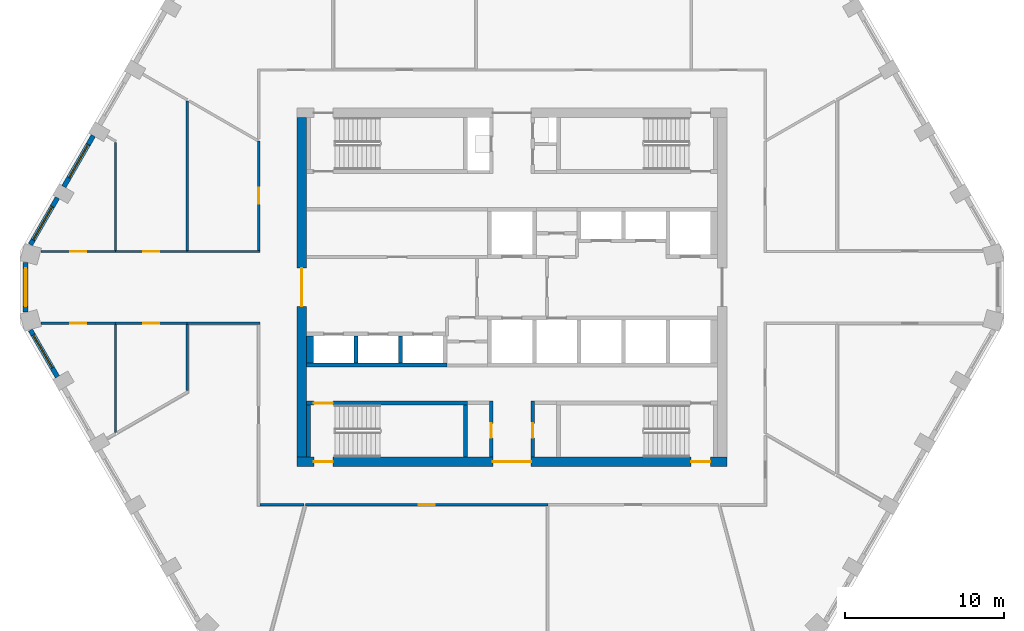
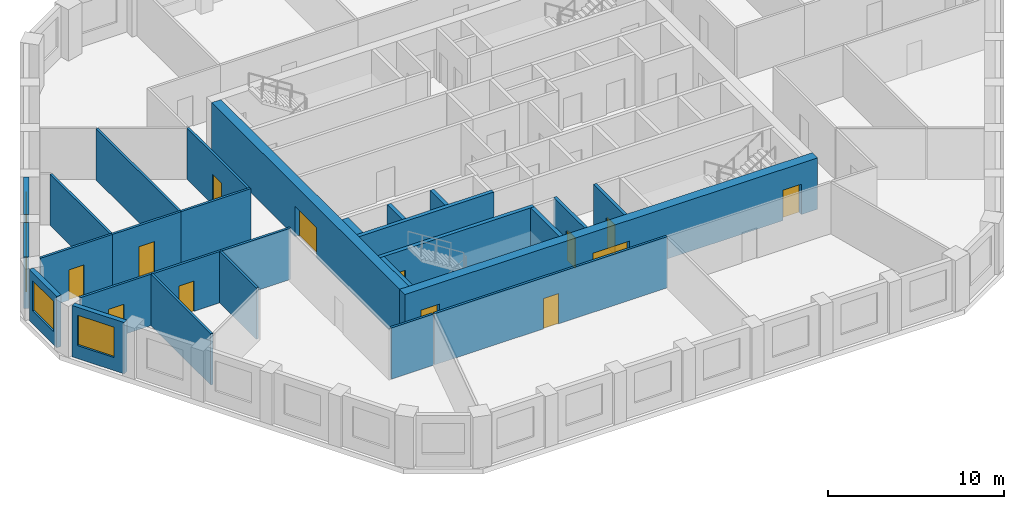
# One storey, part 2 of 11: 28 walls, 13 doors, 4 windows, 17 openings.
"""IFC4 building model written with IfcOpenShell, lengths in metres."""

from ifc_helpers import new_model, si_unit, direction, frame, frame_2d, origin, place, context, subcontext, project, spatial, polyline, rectangle, outline, extrude, material, layer, layer_set, type_object, element, fill, save


model = new_model("IFC4")

# Units and contexts
model_context = context("Model", 3, precision=1e-05, world=origin(), true_north=direction((0.0, 1.0)))
body_context = subcontext(model_context, "Body", "Model", "MODEL_VIEW")
ifc_project = project(units=[si_unit("LENGTHUNIT", "METRE"), si_unit("AREAUNIT", "SQUARE_METRE"), si_unit("VOLUMEUNIT", "CUBIC_METRE"), si_unit("PLANEANGLEUNIT", "RADIAN"), si_unit("MASSUNIT", "GRAM", prefix="KILO")], contexts=[model_context])

# Site, building, storey
site_placement = place(None, origin())
site = spatial("IfcSite", under=ifc_project, at=site_placement, CompositionType="ELEMENT")
building_placement = place(site_placement, origin())
building = spatial("IfcBuilding", under=site, at=building_placement, Name="Dhurran Vertical Campus", CompositionType="ELEMENT")
storey_placement = place(building_placement, frame((0.0, 0.0, 211.199951171875)))
storey = spatial("IfcBuildingStorey", under=building, at=storey_placement, Name="L52", CompositionType="ELEMENT", Elevation=211.199951171875)

# Wall, opening, window
ifc_material_1 = material(Name="Precast concrete C50/60", Category="concrete")
ifc_layer_1 = layer(ifc_material_1, 0.300048828125)
ifc_layer_set_1 = layer_set([ifc_layer_1], Name="Precast concrete C50/60")
wall_type_1 = type_object("IfcWallType", Name="Precast spandrel wall 300", PredefinedType="SOLIDWALL", material=ifc_layer_set_1)
wall_1_placement = place(storey_placement, frame((-26.294189453125, 9.5224609375, 0.0), z_axis=(0.0, 0.0, 1.0), x_axis=(-0.500029062817, -0.866008623709, 0.0)))
wall_1 = element("IfcWall", 1, at=wall_1_placement, inside=storey, type_object=wall_type_1, Name="EW1 L52.31", PredefinedType="SOLIDWALL", context=body_context, shape_type="SweptSolid", body=[
    extrude(rectangle(XDim=3.698974609375, YDim=0.300048828125, at=frame_2d((1.849609375, 0.0))), origin(), (0.0, 0.0, 1.0), 3.550048828125),
])
opening_1_placement = place(wall_1_placement, frame((0.6494140625, 0.0, 0.89990234375)))
opening_1 = element("IfcOpeningElement", 2, at=opening_1_placement, cuts=wall_1, Name="Opening WT1", PredefinedType="OPENING", context=body_context, shape_type="SweptSolid", body=[
    extrude(rectangle(XDim=2.39990234375, YDim=2.10009765625, at=frame_2d((1.199951171875, 1.050048828125))), frame((0.0, 0.159912109375, 0.0), z_axis=(0.0, -1.0, 0.0), x_axis=(1.0, 0.0, 0.0)), (0.0, 0.0, 1.0), 0.320068359375),
])
ifc_material_2 = material(Name="Aluminium frame with solar-control glass", Category="aluminium")
window_type = type_object("IfcWindowType", Name="Punched window 2400 x 2100", PartitioningType="SINGLE_PANEL", PredefinedType="WINDOW", material=ifc_material_2)
window_1_placement = place(opening_1_placement, origin())
window_1 = element("IfcWindow", 3, at=window_1_placement, inside=storey, type_object=window_type, Name="WT1 L52.31", OverallHeight=2.10009765625, OverallWidth=2.39990234375, PartitioningType="SINGLE_PANEL", PredefinedType="WINDOW", context=body_context, shape_type="SweptSolid", body=[
    extrude(rectangle(XDim=2.39990234375, YDim=2.10009765625, at=frame_2d((1.199951171875, 1.050048828125))), frame((0.0, 0.030029296875, 0.0), z_axis=(0.0, -1.0, 0.0), x_axis=(1.0, 0.0, 0.0)), (0.0, 0.0, 1.0), 0.06005859375),
])
fill(opening_1, window_1)

wall_2_placement = place(storey_placement, frame((-28.544189453125, 5.625244140625, 0.0), z_axis=(0.0, 0.0, 1.0), x_axis=(-0.500012868213, -0.866017974191, 0.0)))
wall_2 = element("IfcWall", 4, at=wall_2_placement, inside=storey, type_object=wall_type_1, Name="EW1 L52.32", PredefinedType="SOLIDWALL", context=body_context, shape_type="SweptSolid", body=[
    extrude(rectangle(XDim=3.39599609375, YDim=0.300048828125, at=frame_2d((1.697998046875, 0.0))), origin(), (0.0, 0.0, 1.0), 3.550048828125),
])
opening_2_placement = place(wall_2_placement, frame((0.6494140625, 0.0, 0.89990234375)))
opening_2 = element("IfcOpeningElement", 5, at=opening_2_placement, cuts=wall_2, Name="Opening WT1", PredefinedType="OPENING", context=body_context, shape_type="SweptSolid", body=[
    extrude(rectangle(XDim=2.39990234375, YDim=2.10009765625, at=frame_2d((1.199951171875, 1.050048828125))), frame((0.0, 0.159912109375, 0.0), z_axis=(0.0, -1.0, 0.0), x_axis=(1.0, 0.0, 0.0)), (0.0, 0.0, 1.0), 0.320068359375),
])
window_2_placement = place(opening_2_placement, origin())
window_2 = element("IfcWindow", 6, at=window_2_placement, inside=storey, type_object=window_type, Name="WT1 L52.32", OverallHeight=2.10009765625, OverallWidth=2.39990234375, PartitioningType="SINGLE_PANEL", PredefinedType="WINDOW", context=body_context, shape_type="SweptSolid", body=[
    extrude(rectangle(XDim=2.39990234375, YDim=2.10009765625, at=frame_2d((1.199951171875, 1.050048828125))), frame((0.0, 0.030029296875, 0.0), z_axis=(0.0, -1.0, 0.0), x_axis=(1.0, 0.0, 0.0)), (0.0, 0.0, 1.0), 0.06005859375),
])
fill(opening_2, window_2)

wall_3_placement = place(storey_placement, frame((-30.547119140625, 1.54638671875, 0.0), z_axis=(0.0, 0.0, 1.0), x_axis=(0.0, -1.0, 0.0)))
wall_3 = element("IfcWall", 7, at=wall_3_placement, inside=storey, type_object=wall_type_1, Name="EW1 L52.33", PredefinedType="SOLIDWALL", context=body_context, shape_type="SweptSolid", body=[
    extrude(rectangle(XDim=3.0927734375, YDim=0.300048828125, at=frame_2d((1.54638671875, 0.0))), origin(), (0.0, 0.0, 1.0), 3.550048828125),
])
opening_3_placement = place(wall_3_placement, frame((0.34619140625, 0.0, 0.89990234375)))
opening_3 = element("IfcOpeningElement", 8, at=opening_3_placement, cuts=wall_3, Name="Opening WT1", PredefinedType="OPENING", context=body_context, shape_type="SweptSolid", body=[
    extrude(rectangle(XDim=2.39990234375, YDim=2.10009765625, at=frame_2d((1.199951171875, 1.050048828125))), frame((0.0, 0.159912109375, 0.0), z_axis=(0.0, -1.0, 0.0), x_axis=(1.0, 0.0, 0.0)), (0.0, 0.0, 1.0), 0.320068359375),
])
window_3_placement = place(opening_3_placement, origin())
window_3 = element("IfcWindow", 9, at=window_3_placement, inside=storey, type_object=window_type, Name="WT1 L52.33", OverallHeight=2.10009765625, OverallWidth=2.39990234375, PartitioningType="SINGLE_PANEL", PredefinedType="WINDOW", context=body_context, shape_type="SweptSolid", body=[
    extrude(rectangle(XDim=2.39990234375, YDim=2.10009765625, at=frame_2d((1.199951171875, 1.050048828125))), frame((0.0, 0.030029296875, 0.0), z_axis=(0.0, -1.0, 0.0), x_axis=(1.0, 0.0, 0.0)), (0.0, 0.0, 1.0), 0.06005859375),
])
fill(opening_3, window_3)

wall_4_placement = place(storey_placement, frame((-30.2421875, -2.684326171875, 0.0), z_axis=(0.0, 0.0, 1.0), x_axis=(0.500012868213, -0.866017974191, 0.0)))
wall_4 = element("IfcWall", 10, at=wall_4_placement, inside=storey, type_object=wall_type_1, Name="EW1 L52.34", PredefinedType="SOLIDWALL", context=body_context, shape_type="SweptSolid", body=[
    extrude(rectangle(XDim=3.39599609375, YDim=0.300048828125, at=frame_2d((1.697998046875, 0.0))), origin(), (0.0, 0.0, 1.0), 3.550048828125),
])
opening_4_placement = place(wall_4_placement, frame((0.346435546875, 0.0, 0.89990234375)))
opening_4 = element("IfcOpeningElement", 11, at=opening_4_placement, cuts=wall_4, Name="Opening WT1", PredefinedType="OPENING", context=body_context, shape_type="SweptSolid", body=[
    extrude(rectangle(XDim=2.39990234375, YDim=2.10009765625, at=frame_2d((1.199951171875, 1.050048828125))), frame((0.0, 0.159912109375, 0.0), z_axis=(0.0, -1.0, 0.0), x_axis=(1.0, 0.0, 0.0)), (0.0, 0.0, 1.0), 0.320068359375),
])
window_4_placement = place(opening_4_placement, origin())
window_4 = element("IfcWindow", 12, at=window_4_placement, inside=storey, type_object=window_type, Name="WT1 L52.34", OverallHeight=2.10009765625, OverallWidth=2.39990234375, PartitioningType="SINGLE_PANEL", PredefinedType="WINDOW", context=body_context, shape_type="SweptSolid", body=[
    extrude(rectangle(XDim=2.39990234375, YDim=2.10009765625, at=frame_2d((1.199951171875, 1.050048828125))), frame((0.0, 0.030029296875, 0.0), z_axis=(0.0, -1.0, 0.0), x_axis=(1.0, 0.0, 0.0)), (0.0, 0.0, 1.0), 0.06005859375),
])
fill(opening_4, window_4)

# Wall, openings, doors
ifc_material_3 = material(Name="Concrete C50/60", Category="concrete")
ifc_layer_2 = layer(ifc_material_3, 0.60009765625)
ifc_layer_set_2 = layer_set([ifc_layer_2], Name="Concrete C50/60")
wall_type_2 = type_object("IfcWallType", Name="co-CORE-WALL-C2-600", PredefinedType="SHEAR", material=ifc_layer_set_2)
wall_5_placement = place(storey_placement, frame((-13.5, -10.949951171875, 0.0), z_axis=(0.0, 0.0, 1.0), x_axis=(1.0, 0.0, 0.0)))
wall_5 = element("IfcWall", 13, at=wall_5_placement, inside=storey, type_object=wall_type_2, Name="Core wall S L52", PredefinedType="SHEAR", context=body_context, shape_type="SweptSolid", body=[
    extrude(rectangle(XDim=27.0, YDim=0.60009765625, at=frame_2d((13.5, 0.0))), origin(), (0.0, 0.0, 1.0), 3.550048828125),
])
opening_5_placement = place(wall_5_placement, frame((12.300048828125, 0.0, 0.0)))
opening_5 = element("IfcOpeningElement", 14, at=opening_5_placement, cuts=wall_5, Name="Opening CV2", PredefinedType="OPENING", context=body_context, shape_type="SweptSolid", body=[
    extrude(rectangle(XDim=2.39990234375, YDim=2.10009765625, at=frame_2d((1.199951171875, 1.050048828125))), frame((0.0, 0.31005859375, 0.0), z_axis=(0.0, -1.0, 0.0), x_axis=(1.0, 0.0, 0.0)), (0.0, 0.0, 1.0), 0.6201171875),
])
opening_6_placement = place(wall_5_placement, frame((1.050048828125, 0.0, 0.0)))
opening_6 = element("IfcOpeningElement", 15, at=opening_6_placement, cuts=wall_5, Name="Opening XD3", PredefinedType="OPENING", context=body_context, shape_type="SweptSolid", body=[
    extrude(rectangle(XDim=1.199951171875, YDim=2.10009765625, at=frame_2d((0.60009765625, 1.050048828125))), frame((0.0, 0.31005859375, 0.0), z_axis=(0.0, -1.0, 0.0), x_axis=(1.0, 0.0, 0.0)), (0.0, 0.0, 1.0), 0.6201171875),
])
opening_7_placement = place(wall_5_placement, frame((24.75, 0.0, 0.0)))
opening_7 = element("IfcOpeningElement", 16, at=opening_7_placement, cuts=wall_5, Name="Opening XD4", PredefinedType="OPENING", context=body_context, shape_type="SweptSolid", body=[
    extrude(rectangle(XDim=1.199951171875, YDim=2.10009765625, at=frame_2d((0.60009765625, 1.050048828125))), frame((0.0, 0.31005859375, 0.0), z_axis=(0.0, -1.0, 0.0), x_axis=(1.0, 0.0, 0.0)), (0.0, 0.0, 1.0), 0.6201171875),
])
ifc_material_4 = material(Name="Fire-rated glazed door set")
door_type_1 = type_object("IfcDoorType", Name="co-D-LOBBY 2400x2100", OperationType="DOUBLE_DOOR_DOUBLE_SWING", PredefinedType="DOOR", material=ifc_material_4)
door_1_placement = place(opening_5_placement, origin())
door_1 = element("IfcDoor", 17, at=door_1_placement, inside=storey, type_object=door_type_1, Name="Core vestibule door S L52", OperationType="DOUBLE_DOOR_DOUBLE_SWING", OverallHeight=2.10009765625, OverallWidth=2.39990234375, PredefinedType="DOOR", context=body_context, shape_type="SweptSolid", body=[
    extrude(rectangle(XDim=2.39990234375, YDim=2.10009765625, at=frame_2d((1.199951171875, 1.050048828125))), frame((0.0, 0.02490234375, 0.0), z_axis=(0.0, -1.0, 0.0), x_axis=(1.0, 0.0, 0.0)), (0.0, 0.0, 1.0), 0.050048828125),
])
fill(opening_5, door_1)
ifc_material_5 = material(Name="Fire-rated steel door set", Category="steel")
door_type_2 = type_object("IfcDoorType", Name="co-D-STAIR-EXIT 1200x2100", OperationType="SINGLE_SWING_RIGHT", PredefinedType="DOOR", material=ifc_material_5)
door_2_placement = place(opening_6_placement, origin())
door_2 = element("IfcDoor", 18, at=door_2_placement, inside=storey, type_object=door_type_2, Name="Stair ST3 exit door L52", OperationType="SINGLE_SWING_RIGHT", OverallHeight=2.10009765625, OverallWidth=1.199951171875, PredefinedType="DOOR", context=body_context, shape_type="SweptSolid", body=[
    extrude(rectangle(XDim=1.199951171875, YDim=2.10009765625, at=frame_2d((0.60009765625, 1.050048828125))), frame((0.0, 0.02490234375, 0.0), z_axis=(0.0, -1.0, 0.0), x_axis=(1.0, 0.0, 0.0)), (0.0, 0.0, 1.0), 0.050048828125),
])
fill(opening_6, door_2)
door_3_placement = place(opening_7_placement, origin())
door_3 = element("IfcDoor", 19, at=door_3_placement, inside=storey, type_object=door_type_2, Name="Stair ST4 exit door L52", OperationType="SINGLE_SWING_RIGHT", OverallHeight=2.10009765625, OverallWidth=1.199951171875, PredefinedType="DOOR", context=body_context, shape_type="SweptSolid", body=[
    extrude(rectangle(XDim=1.199951171875, YDim=2.10009765625, at=frame_2d((0.60009765625, 1.050048828125))), frame((0.0, 0.02490234375, 0.0), z_axis=(0.0, -1.0, 0.0), x_axis=(1.0, 0.0, 0.0)), (0.0, 0.0, 1.0), 0.050048828125),
])
fill(opening_7, door_3)

# Wall, opening, door
wall_6_placement = place(storey_placement, frame((-13.199951171875, -10.64990234375, 0.0), z_axis=(0.0, 0.0, 1.0), x_axis=(0.0, 1.0, 0.0)))
wall_6 = element("IfcWall", 20, at=wall_6_placement, inside=storey, type_object=wall_type_2, Name="Core wall W L52", PredefinedType="SHEAR", context=body_context, shape_type="SweptSolid", body=[
    extrude(rectangle(XDim=21.2998046875, YDim=0.60009765625, at=frame_2d((10.64990234375, 0.0))), origin(), (0.0, 0.0, 1.0), 3.550048828125),
])
opening_8_placement = place(wall_6_placement, frame((9.449951171875, 0.0, 0.0)))
opening_8 = element("IfcOpeningElement", 21, at=opening_8_placement, cuts=wall_6, Name="Opening CL1", PredefinedType="OPENING", context=body_context, shape_type="SweptSolid", body=[
    extrude(rectangle(XDim=2.39990234375, YDim=2.10009765625, at=frame_2d((1.199951171875, 1.050048828125))), frame((0.0, 0.31005859375, 0.0), z_axis=(0.0, -1.0, 0.0), x_axis=(1.0, 0.0, 0.0)), (0.0, 0.0, 1.0), 0.6201171875),
])
door_4_placement = place(opening_8_placement, origin())
door_4 = element("IfcDoor", 22, at=door_4_placement, inside=storey, type_object=door_type_1, Name="Lift lobby door W L52", OperationType="DOUBLE_DOOR_DOUBLE_SWING", OverallHeight=2.10009765625, OverallWidth=2.39990234375, PredefinedType="DOOR", context=body_context, shape_type="SweptSolid", body=[
    extrude(rectangle(XDim=2.39990234375, YDim=2.10009765625, at=frame_2d((1.199951171875, 1.050048828125))), frame((0.0, 0.02490234375, 0.0), z_axis=(0.0, -1.0, 0.0), x_axis=(1.0, 0.0, 0.0)), (0.0, 0.0, 1.0), 0.050048828125),
])
fill(opening_8, door_4)

ifc_material_6 = material(Name="Fire-rated masonry blockwork", Category="masonry")
ifc_layer_3 = layer(ifc_material_6, 0.199951171875)
ifc_layer_set_3 = layer_set([ifc_layer_3], Name="Fire-rated masonry blockwork")
wall_type_3 = type_object("IfcWallType", Name="co-FIRE-PARTITION-200", PredefinedType="PARTITIONING", material=ifc_layer_set_3)
wall_7_placement = place(storey_placement, frame((-1.300048828125, -10.64990234375, 0.0), z_axis=(0.0, 0.0, 1.0), x_axis=(0.0, 1.0, 0.0)))
wall_7 = element("IfcWall", 23, at=wall_7_placement, inside=storey, type_object=wall_type_3, Name="Core partition vest-SW L52", PredefinedType="PARTITIONING", context=body_context, shape_type="SweptSolid", body=[
    extrude(rectangle(XDim=3.5, YDim=0.199951171875, at=frame_2d((1.75, 0.0))), origin(), (0.0, 0.0, 1.0), 3.550048828125),
])
opening_9_placement = place(wall_7_placement, frame((1.199951171875, 0.0, 0.0)))
opening_9 = element("IfcOpeningElement", 24, at=opening_9_placement, cuts=wall_7, Name="Opening T15-C1", PredefinedType="OPENING", context=body_context, shape_type="SweptSolid", body=[
    extrude(rectangle(XDim=0.89990234375, YDim=2.10009765625, at=frame_2d((0.449951171875, 1.050048828125))), frame((0.0, 0.10986328125, 0.0), z_axis=(0.0, -1.0, 0.0), x_axis=(1.0, 0.0, 0.0)), (0.0, 0.0, 1.0), 0.219970703125),
])
ifc_material_7 = material(Name="Fire-rated timber door set", Category="wood")
door_type_3 = type_object("IfcDoorType", Name="co-D-ROOM 900x2100", OperationType="SINGLE_SWING_LEFT", PredefinedType="DOOR", material=ifc_material_7)
door_5_placement = place(opening_9_placement, origin())
door_5 = element("IfcDoor", 25, at=door_5_placement, inside=storey, type_object=door_type_3, Name="Waste room door L52", OperationType="SINGLE_SWING_LEFT", OverallHeight=2.10009765625, OverallWidth=0.89990234375, PredefinedType="DOOR", context=body_context, shape_type="SweptSolid", body=[
    extrude(rectangle(XDim=0.89990234375, YDim=2.10009765625, at=frame_2d((0.449951171875, 1.050048828125))), frame((0.0, 0.02490234375, 0.0), z_axis=(0.0, -1.0, 0.0), x_axis=(1.0, 0.0, 0.0)), (0.0, 0.0, 1.0), 0.050048828125),
])
fill(opening_9, door_5)

wall_8_placement = place(storey_placement, frame((1.300048828125, -10.64990234375, 0.0), z_axis=(0.0, 0.0, 1.0), x_axis=(0.0, 1.0, 0.0)))
wall_8 = element("IfcWall", 26, at=wall_8_placement, inside=storey, type_object=wall_type_3, Name="Core partition vest-SE L52", PredefinedType="PARTITIONING", context=body_context, shape_type="SweptSolid", body=[
    extrude(rectangle(XDim=3.5, YDim=0.199951171875, at=frame_2d((1.75, 0.0))), origin(), (0.0, 0.0, 1.0), 3.550048828125),
])
opening_10_placement = place(wall_8_placement, frame((1.199951171875, 0.0, 0.0)))
opening_10 = element("IfcOpeningElement", 27, at=opening_10_placement, cuts=wall_8, Name="Opening T15-C2", PredefinedType="OPENING", context=body_context, shape_type="SweptSolid", body=[
    extrude(rectangle(XDim=0.89990234375, YDim=2.10009765625, at=frame_2d((0.449951171875, 1.050048828125))), frame((0.0, 0.10986328125, 0.0), z_axis=(0.0, -1.0, 0.0), x_axis=(1.0, 0.0, 0.0)), (0.0, 0.0, 1.0), 0.219970703125),
])
door_6_placement = place(opening_10_placement, origin())
door_6 = element("IfcDoor", 28, at=door_6_placement, inside=storey, type_object=door_type_3, Name="Cleaner's store door L52", OperationType="SINGLE_SWING_LEFT", OverallHeight=2.10009765625, OverallWidth=0.89990234375, PredefinedType="DOOR", context=body_context, shape_type="SweptSolid", body=[
    extrude(rectangle(XDim=0.89990234375, YDim=2.10009765625, at=frame_2d((0.449951171875, 1.050048828125))), frame((0.0, 0.02490234375, 0.0), z_axis=(0.0, -1.0, 0.0), x_axis=(1.0, 0.0, 0.0)), (0.0, 0.0, 1.0), 0.050048828125),
])
fill(opening_10, door_6)

# Walls
ifc_material_8 = material(Name="Concrete C50/60", Category="concrete")
ifc_layer_4 = layer(ifc_material_8, 0.25)
ifc_layer_set_4 = layer_set([ifc_layer_4], Name="Concrete C50/60")
wall_type_4 = type_object("IfcWallType", Name="co-SHAFT-MASS-250", PredefinedType="SHEAR", material=ifc_layer_set_4)
wall_9_placement = place(storey_placement, origin())
element("IfcWall", 29, at=wall_9_placement, inside=storey, type_object=wall_type_4, Name="Lift shaft wall S L52 1", PredefinedType="SHEAR", context=body_context, shape_type="SweptSolid", body=[
    extrude(outline(polyline([(-12.89990234375, -5.0), (-4.074951171875, -5.0), (-4.074951171875, -4.75), (-12.89990234375, -4.75), (-12.89990234375, -5.0)])), origin(), (0.0, 0.0, 1.0), 3.550048828125),
])
wall_10_placement = place(storey_placement, origin())
element("IfcWall", 30, at=wall_10_placement, inside=storey, type_object=wall_type_4, Name="Lift shaft wall S L52 3", PredefinedType="SHEAR", context=body_context, shape_type="SweptSolid", body=[
    extrude(outline(polyline([(-12.89990234375, -4.75), (-12.47509765625, -4.75), (-12.47509765625, -3.050048828125), (-12.89990234375, -3.050048828125), (-12.89990234375, -4.75)])), origin(), (0.0, 0.0, 1.0), 3.550048828125),
])
wall_11_placement = place(storey_placement, origin())
element("IfcWall", 31, at=wall_11_placement, inside=storey, type_object=wall_type_4, Name="Lift shaft wall S L52 4", PredefinedType="SHEAR", context=body_context, shape_type="SweptSolid", body=[
    extrude(outline(polyline([(-9.925048828125, -4.75), (-9.675048828125, -4.75), (-9.675048828125, -3.050048828125), (-9.925048828125, -3.050048828125), (-9.925048828125, -4.75)])), origin(), (0.0, 0.0, 1.0), 3.550048828125),
])
wall_12_placement = place(storey_placement, origin())
element("IfcWall", 32, at=wall_12_placement, inside=storey, type_object=wall_type_4, Name="Lift shaft wall S L52 5", PredefinedType="SHEAR", context=body_context, shape_type="SweptSolid", body=[
    extrude(outline(polyline([(-7.125, -4.75), (-6.875, -4.75), (-6.875, -3.050048828125), (-7.125, -3.050048828125), (-7.125, -4.75)])), origin(), (0.0, 0.0, 1.0), 3.550048828125),
])

# Wall, opening, door
ifc_material_9 = material(Name="Concrete C40/50", Category="concrete")
ifc_layer_5 = layer(ifc_material_9, 0.25)
ifc_layer_set_5 = layer_set([ifc_layer_5], Name="Concrete C40/50")
wall_type_5 = type_object("IfcWallType", Name="co-STAIR-WALL-250", PredefinedType="SHEAR", material=ifc_layer_set_5)
wall_13_placement = place(storey_placement, frame((-12.89990234375, -7.27490234375, 0.0), z_axis=(0.0, 0.0, 1.0), x_axis=(1.0, 0.0, 0.0)))
wall_13 = element("IfcWall", 33, at=wall_13_placement, inside=storey, type_object=wall_type_5, Name="Stair ST3 enclosure wall L52", PredefinedType="SHEAR", context=body_context, shape_type="SweptSolid", body=[
    extrude(rectangle(XDim=10.099853515625, YDim=0.25, at=frame_2d((5.0498046875, 0.0))), origin(), (0.0, 0.0, 1.0), 3.550048828125),
])
opening_11_placement = place(wall_13_placement, frame((0.449951171875, 0.0, 0.0)))
opening_11 = element("IfcOpeningElement", 34, at=opening_11_placement, cuts=wall_13, Name="Opening SD3", PredefinedType="OPENING", context=body_context, shape_type="SweptSolid", body=[
    extrude(rectangle(XDim=1.199951171875, YDim=2.10009765625, at=frame_2d((0.60009765625, 1.050048828125))), frame((0.0, 0.135009765625, 0.0), z_axis=(0.0, -1.0, 0.0), x_axis=(1.0, 0.0, 0.0)), (0.0, 0.0, 1.0), 0.27001953125),
])
ifc_material_10 = material(Name="Fire-rated steel door set", Category="steel")
door_type_4 = type_object("IfcDoorType", Name="co-D-STAIR 1200x2100", OperationType="SINGLE_SWING_LEFT", PredefinedType="DOOR", material=ifc_material_10)
door_7_placement = place(opening_11_placement, origin())
door_7 = element("IfcDoor", 35, at=door_7_placement, inside=storey, type_object=door_type_4, Name="Stair ST3 door L52", OperationType="SINGLE_SWING_LEFT", OverallHeight=2.10009765625, OverallWidth=1.199951171875, PredefinedType="DOOR", context=body_context, shape_type="SweptSolid", body=[
    extrude(rectangle(XDim=1.199951171875, YDim=2.10009765625, at=frame_2d((0.60009765625, 1.050048828125))), frame((0.0, 0.02490234375, 0.0), z_axis=(0.0, -1.0, 0.0), x_axis=(1.0, 0.0, 0.0)), (0.0, 0.0, 1.0), 0.050048828125),
])
fill(opening_11, door_7)

# Walls
for number, where, z_axis, x_axis, name in (
    (36, (-12.77490234375, -10.64990234375, 0.0), (0.0, 0.0, 1.0), (0.0, 1.0, 0.0), "Stair ST3 enclosure wall L52"),
    (37, (-2.925048828125, -10.64990234375, 0.0), (0.0, 0.0, 1.0), (0.0, 1.0, 0.0), "Stair ST3 enclosure wall L52"),
):
    element("IfcWall", number, at=place(storey_placement, frame(where, z_axis=z_axis, x_axis=x_axis)), inside=storey, type_object=wall_type_5, Name=name, PredefinedType="SHEAR", context=body_context, shape_type="SweptSolid", body=[
        extrude(rectangle(XDim=3.25, YDim=0.25, at=frame_2d((1.625, 0.0))), origin(), (0.0, 0.0, 1.0), 3.550048828125),
    ])

# Wall, opening, door
ifc_material_11 = material(Name="Gypsum board corridor wall on steel studs", Category="steel")
ifc_layer_6 = layer(ifc_material_11, 0.14990234375)
ifc_layer_set_6 = layer_set([ifc_layer_6], Name="Gypsum board corridor wall on steel studs")
wall_type_6 = type_object("IfcWallType", Name="fl-CW-150 corridor wall", PredefinedType="PARTITIONING", material=ifc_layer_set_6)
wall_14_placement = place(storey_placement, frame((-24.89990234375, -2.25, 0.0), z_axis=(0.0, 0.0, 1.0), x_axis=(-1.0, 0.0, 0.0)))
wall_14 = element("IfcWall", 38, at=wall_14_placement, inside=storey, type_object=wall_type_6, Name="Partition 52-01", PredefinedType="PARTITIONING", context=body_context, shape_type="SweptSolid", body=[
    extrude(rectangle(XDim=4.68505859375, YDim=0.14990234375, at=frame_2d((2.342529296875, 0.0))), origin(), (0.0, 0.0, 1.0), 3.550048828125),
])
opening_12_placement = place(wall_14_placement, frame((1.842529296875, 0.0, 0.0)))
opening_12 = element("IfcOpeningElement", 39, at=opening_12_placement, cuts=wall_14, Name="Opening T15.01", PredefinedType="OPENING", context=body_context, shape_type="SweptSolid", body=[
    extrude(rectangle(XDim=1.0, YDim=2.10009765625, at=frame_2d((0.5, 1.050048828125))), frame((0.0, 0.0849609375, 0.0), z_axis=(0.0, -1.0, 0.0), x_axis=(1.0, 0.0, 0.0)), (0.0, 0.0, 1.0), 0.169921875),
])
ifc_material_12 = material(Name="Solid-core timber door set, fire-rated", Category="wood")
door_type_5 = type_object("IfcDoorType", Name="fl-D-1000x2100", OperationType="SINGLE_SWING_LEFT", PredefinedType="DOOR", material=ifc_material_12)
door_8_placement = place(opening_12_placement, origin())
door_8 = element("IfcDoor", 40, at=door_8_placement, inside=storey, type_object=door_type_5, Name="Door 52.01", OperationType="SINGLE_SWING_RIGHT", OverallHeight=2.10009765625, OverallWidth=1.0, PredefinedType="DOOR", context=body_context, shape_type="SweptSolid", body=[
    extrude(rectangle(XDim=1.0, YDim=2.10009765625, at=frame_2d((0.5, 1.050048828125))), frame((0.0, 0.02490234375, 0.0), z_axis=(0.0, -1.0, 0.0), x_axis=(1.0, 0.0, 0.0)), (0.0, 0.0, 1.0), 0.050048828125),
])
fill(opening_12, door_8)

wall_15_placement = place(storey_placement, frame((-29.5849609375, 2.25, 0.0), z_axis=(0.0, 0.0, 1.0), x_axis=(1.0, 0.0, 0.0)))
wall_15 = element("IfcWall", 41, at=wall_15_placement, inside=storey, type_object=wall_type_6, Name="Partition 52-02", PredefinedType="PARTITIONING", context=body_context, shape_type="SweptSolid", body=[
    extrude(rectangle(XDim=4.68505859375, YDim=0.14990234375, at=frame_2d((2.342529296875, 0.0))), origin(), (0.0, 0.0, 1.0), 3.550048828125),
])
opening_13_placement = place(wall_15_placement, frame((1.842529296875, 0.0, 0.0)))
opening_13 = element("IfcOpeningElement", 42, at=opening_13_placement, cuts=wall_15, Name="Opening T15.02", PredefinedType="OPENING", context=body_context, shape_type="SweptSolid", body=[
    extrude(rectangle(XDim=1.0, YDim=2.10009765625, at=frame_2d((0.5, 1.050048828125))), frame((0.0, 0.0849609375, 0.0), z_axis=(0.0, -1.0, 0.0), x_axis=(1.0, 0.0, 0.0)), (0.0, 0.0, 1.0), 0.169921875),
])
door_9_placement = place(opening_13_placement, origin())
door_9 = element("IfcDoor", 43, at=door_9_placement, inside=storey, type_object=door_type_5, Name="Door 52.02", OperationType="SINGLE_SWING_LEFT", OverallHeight=2.10009765625, OverallWidth=1.0, PredefinedType="DOOR", context=body_context, shape_type="SweptSolid", body=[
    extrude(rectangle(XDim=1.0, YDim=2.10009765625, at=frame_2d((0.5, 1.050048828125))), frame((0.0, 0.02490234375, 0.0), z_axis=(0.0, -1.0, 0.0), x_axis=(1.0, 0.0, 0.0)), (0.0, 0.0, 1.0), 0.050048828125),
])
fill(opening_13, door_9)

wall_16_placement = place(storey_placement, frame((-20.39990234375, -2.25, 0.0), z_axis=(0.0, 0.0, 1.0), x_axis=(-1.0, 0.0, 0.0)))
wall_16 = element("IfcWall", 44, at=wall_16_placement, inside=storey, type_object=wall_type_6, Name="Partition 52-07", PredefinedType="PARTITIONING", context=body_context, shape_type="SweptSolid", body=[
    extrude(rectangle(XDim=4.5, YDim=0.14990234375, at=frame_2d((2.25, 0.0))), origin(), (0.0, 0.0, 1.0), 3.550048828125),
])
opening_14_placement = place(wall_16_placement, frame((1.75, 0.0, 0.0)))
opening_14 = element("IfcOpeningElement", 45, at=opening_14_placement, cuts=wall_16, Name="Opening T15.03", PredefinedType="OPENING", context=body_context, shape_type="SweptSolid", body=[
    extrude(rectangle(XDim=1.0, YDim=2.10009765625, at=frame_2d((0.5, 1.050048828125))), frame((0.0, 0.0849609375, 0.0), z_axis=(0.0, -1.0, 0.0), x_axis=(1.0, 0.0, 0.0)), (0.0, 0.0, 1.0), 0.169921875),
])
door_10_placement = place(opening_14_placement, origin())
door_10 = element("IfcDoor", 46, at=door_10_placement, inside=storey, type_object=door_type_5, Name="Door 52.03", OperationType="SINGLE_SWING_RIGHT", OverallHeight=2.10009765625, OverallWidth=1.0, PredefinedType="DOOR", context=body_context, shape_type="SweptSolid", body=[
    extrude(rectangle(XDim=1.0, YDim=2.10009765625, at=frame_2d((0.5, 1.050048828125))), frame((0.0, 0.02490234375, 0.0), z_axis=(0.0, -1.0, 0.0), x_axis=(1.0, 0.0, 0.0)), (0.0, 0.0, 1.0), 0.050048828125),
])
fill(opening_14, door_10)

wall_17_placement = place(storey_placement, frame((-24.89990234375, 2.25, 0.0), z_axis=(0.0, 0.0, 1.0), x_axis=(1.0, 0.0, 0.0)))
wall_17 = element("IfcWall", 47, at=wall_17_placement, inside=storey, type_object=wall_type_6, Name="Partition 52-09", PredefinedType="PARTITIONING", context=body_context, shape_type="SweptSolid", body=[
    extrude(rectangle(XDim=4.5, YDim=0.14990234375, at=frame_2d((2.25, 0.0))), origin(), (0.0, 0.0, 1.0), 3.550048828125),
])
opening_15_placement = place(wall_17_placement, frame((1.75, 0.0, 0.0)))
opening_15 = element("IfcOpeningElement", 48, at=opening_15_placement, cuts=wall_17, Name="Opening T15.04", PredefinedType="OPENING", context=body_context, shape_type="SweptSolid", body=[
    extrude(rectangle(XDim=1.0, YDim=2.10009765625, at=frame_2d((0.5, 1.050048828125))), frame((0.0, 0.0849609375, 0.0), z_axis=(0.0, -1.0, 0.0), x_axis=(1.0, 0.0, 0.0)), (0.0, 0.0, 1.0), 0.169921875),
])
door_11_placement = place(opening_15_placement, origin())
door_11 = element("IfcDoor", 49, at=door_11_placement, inside=storey, type_object=door_type_5, Name="Door 52.04", OperationType="SINGLE_SWING_RIGHT", OverallHeight=2.10009765625, OverallWidth=1.0, PredefinedType="DOOR", context=body_context, shape_type="SweptSolid", body=[
    extrude(rectangle(XDim=1.0, YDim=2.10009765625, at=frame_2d((0.5, 1.050048828125))), frame((0.0, 0.02490234375, 0.0), z_axis=(0.0, -1.0, 0.0), x_axis=(1.0, 0.0, 0.0)), (0.0, 0.0, 1.0), 0.050048828125),
])
fill(opening_15, door_11)

# Walls
for number, where, z_axis, x_axis, name in (
    (50, (-15.824951171875, -2.25, 0.0), (0.0, 0.0, 1.0), (-1.0, 0.0, 0.0), "Partition 52-12"),
    (51, (-20.39990234375, 2.25, 0.0), (0.0, 0.0, 1.0), (1.0, 0.0, 0.0), "Partition 52-14"),
):
    element("IfcWall", number, at=place(storey_placement, frame(where, z_axis=z_axis, x_axis=x_axis)), inside=storey, type_object=wall_type_6, Name=name, PredefinedType="PARTITIONING", context=body_context, shape_type="SweptSolid", body=[
        extrude(rectangle(XDim=4.574951171875, YDim=0.14990234375, at=frame_2d((2.28759765625, 0.0))), origin(), (0.0, 0.0, 1.0), 3.550048828125),
    ])
wall_18_placement = place(storey_placement, frame((-15.824951171875, -13.64990234375, 0.0), z_axis=(0.0, 0.0, 1.0), x_axis=(1.0, 0.0, 0.0)))
element("IfcWall", 52, at=wall_18_placement, inside=storey, type_object=wall_type_6, Name="Partition 52-17", PredefinedType="PARTITIONING", context=body_context, shape_type="SweptSolid", body=[
    extrude(rectangle(XDim=2.7490234375, YDim=0.14990234375, at=frame_2d((1.37451171875, 0.0))), origin(), (0.0, 0.0, 1.0), 3.550048828125),
])

# Wall, opening, door
wall_19_placement = place(storey_placement, frame((-15.89990234375, 9.179931640625, 0.0), z_axis=(0.0, 0.0, 1.0), x_axis=(0.0, -1.0, 0.0)))
wall_19 = element("IfcWall", 53, at=wall_19_placement, inside=storey, type_object=wall_type_6, Name="Partition 52-18", PredefinedType="PARTITIONING", context=body_context, shape_type="SweptSolid", body=[
    extrude(rectangle(XDim=6.85498046875, YDim=0.14990234375, at=frame_2d((3.427490234375, 0.0))), origin(), (0.0, 0.0, 1.0), 3.550048828125),
])
opening_16_placement = place(wall_19_placement, frame((2.927490234375, 0.0, 0.0)))
opening_16 = element("IfcOpeningElement", 54, at=opening_16_placement, cuts=wall_19, Name="Opening T15.06", PredefinedType="OPENING", context=body_context, shape_type="SweptSolid", body=[
    extrude(rectangle(XDim=1.0, YDim=2.10009765625, at=frame_2d((0.5, 1.050048828125))), frame((0.0, 0.0849609375, 0.0), z_axis=(0.0, -1.0, 0.0), x_axis=(1.0, 0.0, 0.0)), (0.0, 0.0, 1.0), 0.169921875),
])
door_12_placement = place(opening_16_placement, origin())
door_12 = element("IfcDoor", 55, at=door_12_placement, inside=storey, type_object=door_type_5, Name="Door 52.06", OperationType="SINGLE_SWING_RIGHT", OverallHeight=2.10009765625, OverallWidth=1.0, PredefinedType="DOOR", context=body_context, shape_type="SweptSolid", body=[
    extrude(rectangle(XDim=1.0, YDim=2.10009765625, at=frame_2d((0.5, 1.050048828125))), frame((0.0, 0.02490234375, 0.0), z_axis=(0.0, -1.0, 0.0), x_axis=(1.0, 0.0, 0.0)), (0.0, 0.0, 1.0), 0.050048828125),
])
fill(opening_16, door_12)

wall_20_placement = place(storey_placement, frame((-12.98095703125, -13.64990234375, 0.0), z_axis=(0.0, 0.0, 1.0), x_axis=(1.0, 0.0, 0.0)))
wall_20 = element("IfcWall", 56, at=wall_20_placement, inside=storey, type_object=wall_type_6, Name="Partition 52-22", PredefinedType="PARTITIONING", context=body_context, shape_type="SweptSolid", body=[
    extrude(rectangle(XDim=15.23095703125, YDim=0.14990234375, at=frame_2d((7.615478515625, 0.0))), origin(), (0.0, 0.0, 1.0), 3.550048828125),
])
opening_17_placement = place(wall_20_placement, frame((7.115478515625, 0.0, 0.0)))
opening_17 = element("IfcOpeningElement", 57, at=opening_17_placement, cuts=wall_20, Name="Opening T15.09", PredefinedType="OPENING", context=body_context, shape_type="SweptSolid", body=[
    extrude(rectangle(XDim=1.0, YDim=2.10009765625, at=frame_2d((0.5, 1.050048828125))), frame((0.0, 0.0849609375, 0.0), z_axis=(0.0, -1.0, 0.0), x_axis=(1.0, 0.0, 0.0)), (0.0, 0.0, 1.0), 0.169921875),
])
door_13_placement = place(opening_17_placement, origin())
door_13 = element("IfcDoor", 58, at=door_13_placement, inside=storey, type_object=door_type_5, Name="Door 52.09", OperationType="SINGLE_SWING_RIGHT", OverallHeight=2.10009765625, OverallWidth=1.0, PredefinedType="DOOR", context=body_context, shape_type="SweptSolid", body=[
    extrude(rectangle(XDim=1.0, YDim=2.10009765625, at=frame_2d((0.5, 1.050048828125))), frame((0.0, 0.02490234375, 0.0), z_axis=(0.0, -1.0, 0.0), x_axis=(1.0, 0.0, 0.0)), (0.0, 0.0, 1.0), 0.050048828125),
])
fill(opening_17, door_13)

# Walls
ifc_material_13 = material(Name="Gypsum board partition on steel studs", Category="steel")
ifc_layer_7 = layer(ifc_material_13, 0.14990234375)
ifc_layer_set_7 = layer_set([ifc_layer_7], Name="Gypsum board partition on steel studs")
wall_type_7 = type_object("IfcWallType", Name="fl-PW-150 fixed partition", PredefinedType="PARTITIONING", material=ifc_layer_set_7)
for number, where, z_axis, x_axis, name in (
    (59, (-24.89990234375, -2.324951171875, 0.0), (0.0, 0.0, 1.0), (0.0, -1.0, 0.0), "Partition 52-05"),
    (60, (-24.89990234375, 9.10498046875, 0.0), (0.0, 0.0, 1.0), (0.0, -1.0, 0.0), "Partition 52-08"),
):
    element("IfcWall", number, at=place(storey_placement, frame(where, z_axis=z_axis, x_axis=x_axis)), inside=storey, type_object=wall_type_7, Name=name, PredefinedType="PARTITIONING", context=body_context, shape_type="SweptSolid", body=[
        extrude(rectangle(XDim=6.780029296875, YDim=0.14990234375, at=frame_2d((3.39013671875, 0.0))), origin(), (0.0, 0.0, 1.0), 3.550048828125),
    ])
wall_21_placement = place(storey_placement, frame((-20.39990234375, -2.324951171875, 0.0), z_axis=(0.0, 0.0, 1.0), x_axis=(0.0, -1.0, 0.0)))
element("IfcWall", 61, at=wall_21_placement, inside=storey, type_object=wall_type_7, Name="Partition 52-11", PredefinedType="PARTITIONING", context=body_context, shape_type="SweptSolid", body=[
    extrude(rectangle(XDim=4.156982421875, YDim=0.14990234375, at=frame_2d((2.07861328125, 0.0))), origin(), (0.0, 0.0, 1.0), 3.550048828125),
])
wall_22_placement = place(storey_placement, frame((-20.39990234375, 11.702880859375, 0.0), z_axis=(0.0, 0.0, 1.0), x_axis=(0.0, -1.0, 0.0)))
element("IfcWall", 62, at=wall_22_placement, inside=storey, type_object=wall_type_7, Name="Partition 52-13", PredefinedType="PARTITIONING", context=body_context, shape_type="SweptSolid", body=[
    extrude(rectangle(XDim=9.3779296875, YDim=0.14990234375, at=frame_2d((4.68896484375, 0.0))), origin(), (0.0, 0.0, 1.0), 3.550048828125),
])

save(model, "model.ifc")
